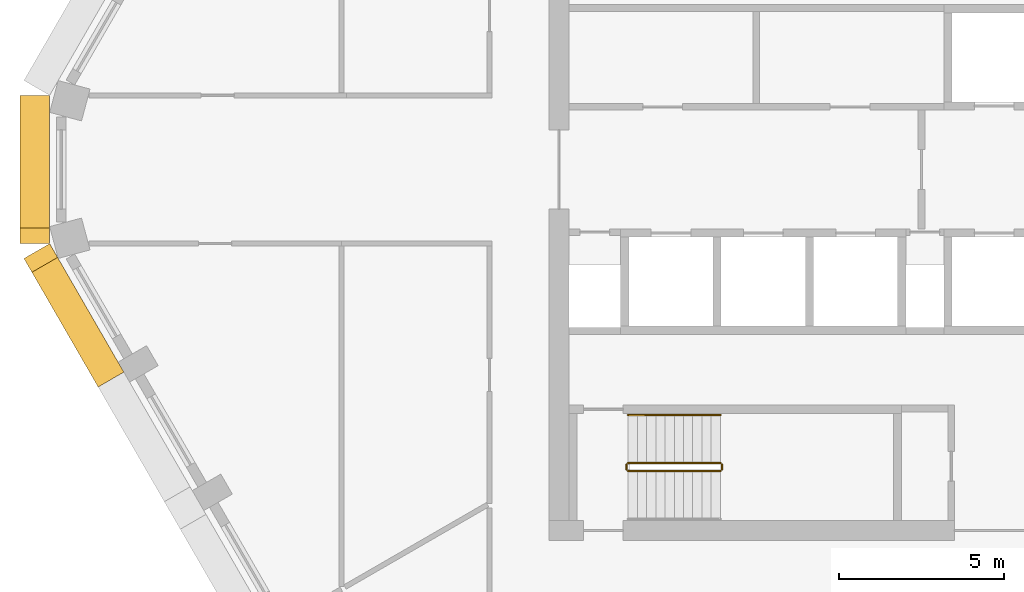
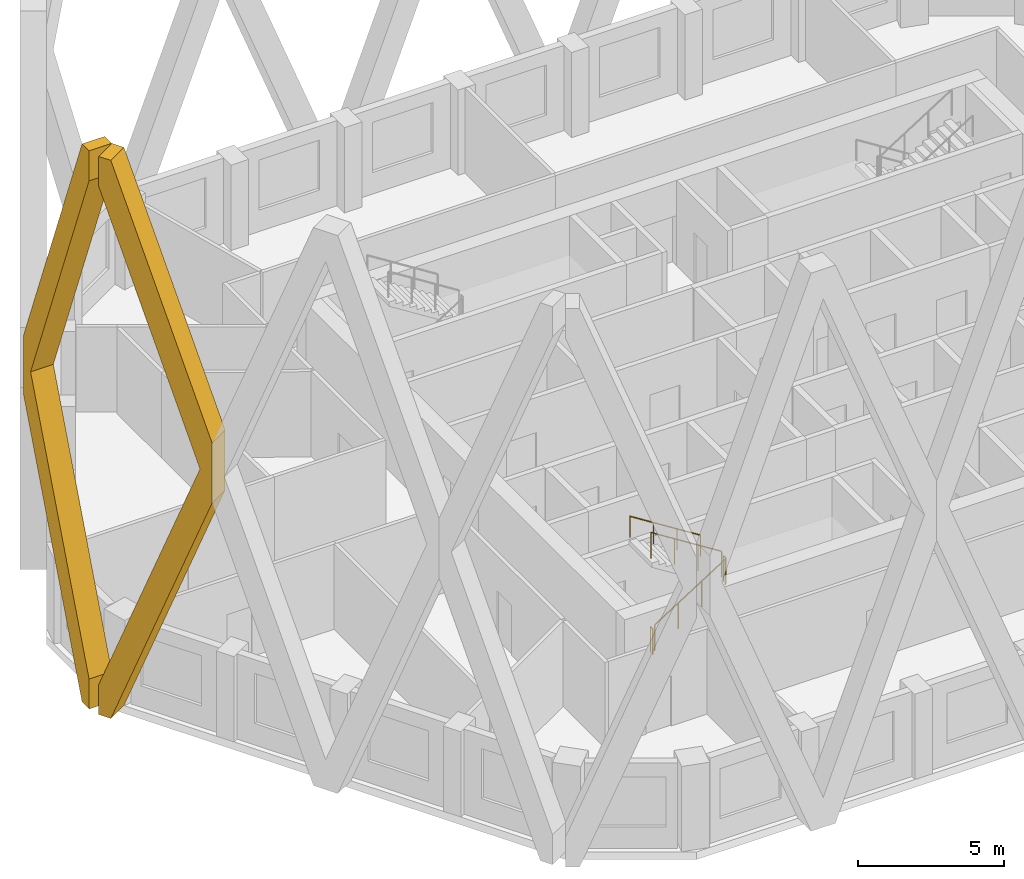
# One storey, part 8 of 13: 5 railings, 2 coverings.
"""IFC4 building model written with IfcOpenShell, lengths in metres."""

import ifcopenshell
import ifcopenshell.guid

model = None  # the IFC model being written
_history = None  # IfcOwnerHistory: only IFC2X3 demands one
_inside = {}  # id of a spatial element -> (the spatial element, [elements in it])
_under = {}  # id of a project, library or spatial element -> (it, [spatial elements below it])
_declared = {}  # id of a project -> (the project, [libraries it declares])
_typed = {}  # id of a type object -> (the type object, [elements of that type])
_made_of = {}  # id of a material, layer set ... -> (it, [elements and type objects made of it])


def new_model(schema):
    """Start an empty IFC model of exactly this schema.

    Asked for "IFC4X3", IfcOpenShell would pick the latest addendum, in which some entities
    have other attributes; the version numbers below select the first issue.
    IFC2X3 requires an IfcOwnerHistory on every rooted entity: one is made here for all.
    """
    global model, _history
    if schema == "IFC4X3":
        model = ifcopenshell.file(schema_version=(4, 3, 0, 0))
    else:
        model = ifcopenshell.file(schema=schema)
    _inside.clear()
    _under.clear()
    _declared.clear()
    _typed.clear()
    _made_of.clear()
    _history = None
    if model.schema == "IFC2X3":
        org = make("IfcOrganization", Name="unknown")
        user = make(
            "IfcPersonAndOrganization",
            ThePerson=make("IfcPerson", FamilyName="unknown"),
            TheOrganization=org,
        )
        app = make(
            "IfcApplication",
            ApplicationDeveloper=org,
            Version="unknown",
            ApplicationFullName="unknown",
            ApplicationIdentifier="unknown",
        )
        _history = make(
            "IfcOwnerHistory",
            OwningUser=user,
            OwningApplication=app,
            ChangeAction="ADDED",
            CreationDate=0,
        )
    return model


def make(cls, **values):
    """One entity of the class cls with the attributes given. An attribute that is None is left unset."""
    return model.create_entity(
        cls, **{name: value for name, value in values.items() if value is not None}
    )


def rooted(cls, **values):
    """An entity with a GlobalId (a new one), such as an element, a storey or a relation."""
    return make(cls, GlobalId=ifcopenshell.guid.new(), OwnerHistory=_history, **values)


def si_unit(unit_type, name, prefix=None):
    """IfcSIUnit, for example si_unit("LENGTHUNIT", "METRE", prefix="MILLI")."""
    return make("IfcSIUnit", UnitType=unit_type, Prefix=prefix, Name=name)


def assignment(units):
    """IfcUnitAssignment: the units of a project."""
    return None if units is None else make("IfcUnitAssignment", Units=units)


def point(xyz):
    """IfcCartesianPoint."""
    return None if xyz is None else make("IfcCartesianPoint", Coordinates=xyz)


def direction(xyz):
    """IfcDirection."""
    return None if xyz is None else make("IfcDirection", DirectionRatios=xyz)


def frame(location, z_axis=None, x_axis=None):
    """IfcAxis2Placement3D, a coordinate frame: its origin and axes. An axis left out is left unset."""
    return make(
        "IfcAxis2Placement3D",
        Location=point(location),
        Axis=direction(z_axis),
        RefDirection=direction(x_axis),
    )


def frame_2d(location, x_axis=None):
    """IfcAxis2Placement2D, a coordinate frame in the plane: its origin and x axis."""
    return make(
        "IfcAxis2Placement2D", Location=point(location), RefDirection=direction(x_axis)
    )


def origin():
    """The frame at (0, 0, 0) with its axes left unset."""
    return frame((0.0, 0.0, 0.0))


def origin_2d():
    """The frame at (0, 0) in the plane with its x axis left unset."""
    return frame_2d((0.0, 0.0))


def place(relative_to, where):
    """IfcLocalPlacement: puts the frame where relative to a parent placement (None: the world)."""
    return make(
        "IfcLocalPlacement", PlacementRelTo=relative_to, RelativePlacement=where
    )


def context(
    kind, dimensions, precision=None, world=None, true_north=None, identifier=None
):
    """IfcGeometricRepresentationContext, for example the 3D "Model" context."""
    return make(
        "IfcGeometricRepresentationContext",
        ContextIdentifier=identifier,
        ContextType=kind,
        CoordinateSpaceDimension=dimensions,
        Precision=precision,
        WorldCoordinateSystem=world,
        TrueNorth=true_north,
    )


def subcontext(parent, identifier, kind, view, scale=None):
    """IfcGeometricRepresentationSubContext, for example "Body" below "Model"."""
    return make(
        "IfcGeometricRepresentationSubContext",
        ContextIdentifier=identifier,
        ContextType=kind,
        ParentContext=parent,
        TargetScale=scale,
        TargetView=view,
    )


def project(units=None, contexts=None):
    """IfcProject with its units and contexts."""
    return rooted(
        "IfcProject",
        Name="project",
        RepresentationContexts=contexts,
        UnitsInContext=assignment(units),
    )


def spatial(cls, under=None, at=None, **own):
    """A site, building, storey or space (cls), placed at a placement, below another one or the project."""
    s = rooted(cls, ObjectPlacement=at, **own)
    if under is not None:
        _under.setdefault(under.id(), (under, []))[1].append(s)
    return s


def polyline(points):
    """IfcPolyline through the points."""
    return make("IfcPolyline", Points=[point(p) for p in points])


def profile(cls, at=None, kind="AREA", **sizes):
    """A parametric profile (cls). Its sizes go by their IFC names, for example OverallWidth=200.0."""
    return make(cls, ProfileType=kind, Position=at, **sizes)


def circle(**sizes):
    """IfcCircleProfileDef."""
    return profile("IfcCircleProfileDef", **sizes)


def outline(outer, holes=None, kind="AREA"):
    """IfcArbitraryClosedProfileDef: a profile drawn as a closed curve; with holes, ...WithVoids."""
    if holes is None:
        return make("IfcArbitraryClosedProfileDef", ProfileType=kind, OuterCurve=outer)
    return make(
        "IfcArbitraryProfileDefWithVoids",
        ProfileType=kind,
        OuterCurve=outer,
        InnerCurves=holes,
    )


def extrude(swept, where, along, depth):
    """IfcExtrudedAreaSolid: the profile swept, set in the frame where, extruded along a direction by depth."""
    return make(
        "IfcExtrudedAreaSolid",
        SweptArea=swept,
        Position=where,
        ExtrudedDirection=direction(along),
        Depth=depth,
    )


def shape(context_of_items, identifier, shape_type, items):
    """IfcShapeRepresentation: the items that make up one representation, for example the "Body"."""
    return make(
        "IfcShapeRepresentation",
        ContextOfItems=context_of_items,
        RepresentationIdentifier=identifier,
        RepresentationType=shape_type,
        Items=items,
    )


def material(Name=None, Category=None):
    """IfcMaterial."""
    return make("IfcMaterial", Name=Name, Category=Category)


def made_of(thing, what):
    """Note that an element or type object is made of a material, layer set ...; save() writes the relation."""
    if what is not None:
        _made_of.setdefault(what.id(), (what, []))[1].append(thing)
    return thing


def type_object(cls, material=None, **own):
    """A type object (cls), such as IfcWallType, which elements share."""
    return made_of(rooted(cls, **own), material)


def element(
    cls,
    number,
    at=None,
    inside=None,
    cuts=None,
    type_object=None,
    material=None,
    context=None,
    identifier="Body",
    shape_type=None,
    held_by="IfcProductDefinitionShape",
    body=None,
    shapes=None,
    **own,
):
    """One element of the class cls, such as IfcWall. Its Tag is "e" and its number.

    at: its placement. inside: the storey or other place that contains it. cuts: it is an
    opening in that element (IfcRelVoidsElement). A single representation is given by context,
    identifier, shape_type and body (its items); several are given by shapes. held_by: the class
    of the entity that holds the representations. save() writes the other relations.
    """
    e = rooted(cls, Tag="e%d" % number, ObjectPlacement=at, **own)
    if body is not None:
        shapes = [shape(context, identifier, shape_type, body)]
    if shapes is not None:
        e.Representation = make(held_by, Representations=shapes)
    if inside is not None:
        _inside.setdefault(inside.id(), (inside, []))[1].append(e)
    if cuts is not None:
        rooted(
            "IfcRelVoidsElement", RelatingBuildingElement=cuts, RelatedOpeningElement=e
        )
    if type_object is not None:
        _typed.setdefault(type_object.id(), (type_object, []))[1].append(e)
    return made_of(e, material)


def aggregate(whole, parts):
    """IfcRelAggregates: a whole, such as a stair, and the parts it consists of."""
    return rooted("IfcRelAggregates", RelatingObject=whole, RelatedObjects=parts)


def save(model, path):
    """Write the relations noted so far, then the file.

    IfcRelAggregates (storeys below a building ...), IfcRelContainedInSpatialStructure (elements
    in a storey), IfcRelDefinesByType, IfcRelAssociatesMaterial and IfcRelDeclares: one each for
    every whole, place, type object, material and project.
    """
    for whole, parts in _under.values():
        aggregate(whole, parts)
    for where, things in _inside.values():
        rooted(
            "IfcRelContainedInSpatialStructure",
            RelatedElements=things,
            RelatingStructure=where,
        )
    for kind, things in _typed.values():
        rooted("IfcRelDefinesByType", RelatedObjects=things, RelatingType=kind)
    for what, things in _made_of.values():
        rooted("IfcRelAssociatesMaterial", RelatedObjects=things, RelatingMaterial=what)
    for by, libraries in _declared.values():
        rooted("IfcRelDeclares", RelatingContext=by, RelatedDefinitions=libraries)
    model.write(path)


model = new_model("IFC4")

# Units and contexts
model_context = context("Model", 3, precision=1e-05, world=origin(), true_north=direction((0.0, 1.0)))
body_context = subcontext(model_context, "Body", "Model", "MODEL_VIEW")
ifc_project = project(units=[si_unit("LENGTHUNIT", "METRE"), si_unit("AREAUNIT", "SQUARE_METRE"), si_unit("VOLUMEUNIT", "CUBIC_METRE"), si_unit("PLANEANGLEUNIT", "RADIAN"), si_unit("MASSUNIT", "GRAM", prefix="KILO")], contexts=[model_context])

# Site, building, storey
site_placement = place(None, origin())
site = spatial("IfcSite", under=ifc_project, at=site_placement, CompositionType="ELEMENT")
building_placement = place(site_placement, origin())
building = spatial("IfcBuilding", under=site, at=building_placement, Name="Dhurran Vertical Campus", CompositionType="ELEMENT")
storey_placement = place(building_placement, frame((0.0, 0.0, 258.60009765625)))
storey = spatial("IfcBuildingStorey", under=building, at=storey_placement, Name="L64", CompositionType="ELEMENT", Elevation=258.60009765625)

# Coverings
ifc_material_1 = material(Name="Precast concrete C50/60", Category="concrete")
covering_type = type_object("IfcCoveringType", Name="Folded precast fin lattice diamond", PredefinedType="USERDEFINED", material=ifc_material_1)
covering_1_placement = place(storey_placement, frame((-28.647216796875, 2.25, 0.0), z_axis=(-1.0, 0.0, 0.0), x_axis=(0.0, -1.0, 0.0)))
element("IfcCovering", 1, at=covering_1_placement, inside=storey, type_object=covering_type, Name="FN1 L64.020", ObjectType="FIN", PredefinedType="USERDEFINED", context=body_context, shape_type="SweptSolid", body=[
    extrude(outline(polyline([(4.017822265625, 0.0), (0.0, 10.4462890625), (0.0, 12.95361328125), (4.017822265625, 23.39990234375), (4.5, 23.39990234375), (4.5, 22.146484375), (0.482177734375, 11.699951171875), (4.5, 1.253662109375), (4.5, 0.0), (4.017822265625, 0.0)])), origin(), (0.0, 0.0, 1.0), 0.89990234375),
])
covering_2_placement = place(storey_placement, frame((-28.647216796875, -2.25, 0.0), z_axis=(-0.866013897511, -0.50001992892, 0.0), x_axis=(0.50001992892, -0.866013897511, 0.0)))
element("IfcCovering", 2, at=covering_2_placement, inside=storey, type_object=covering_type, Name="FN1 L64.021", ObjectType="FIN", PredefinedType="USERDEFINED", context=body_context, shape_type="SweptSolid", body=[
    extrude(outline(polyline([(4.5, 10.4462890625), (0.482177734375, 0.0), (0.0, 0.0), (0.0, 1.253662109375), (4.017822265625, 11.699951171875), (0.0, 22.146484375), (0.0, 23.39990234375), (0.482177734375, 23.39990234375), (4.5, 12.95361328125), (4.5, 10.4462890625)])), origin(), (0.0, 0.0, 1.0), 0.89990234375),
])

# Railings
ifc_material_2 = material(Name="Stainless steel balustrade", Category="steel")
railing_type_1 = type_object("IfcRailingType", Name="co-RL-GUARD-1100", PredefinedType="GUARDRAIL", material=ifc_material_2)
railing_1_placement = place(storey_placement, frame((-11.10009765625, -9.14990234375, 0.17724609375)))
element("IfcRailing", 3, at=railing_1_placement, inside=storey, type_object=railing_type_1, Name="L64 ST3 stair guard 1", PredefinedType="GUARDRAIL", context=body_context, shape_type="SweptSolid", body=[
    extrude(circle(Radius=0.02392578125, at=origin_2d()), frame((0.0, 0.0, 1.076171875), z_axis=(0.844908973607, 0.0, 0.534910110503), x_axis=(0.0, 1.0, 0.0)), (0.0, 0.0, 1.0), 3.31396484375),
    extrude(circle(Radius=0.02099609375, at=origin_2d()), origin(), (0.0, 0.0, 1.0), 1.052001953125),
    extrude(circle(Radius=0.02099609375, at=origin_2d()), frame((0.933349609375, 0.0, 0.5908203125)), (0.0, 0.0, 1.0), 1.052001953125),
    extrude(circle(Radius=0.02099609375, at=origin_2d()), frame((1.86669921875, 0.0, 1.181884765625)), (0.0, 0.0, 1.0), 1.052001953125),
    extrude(circle(Radius=0.02099609375, at=origin_2d()), frame((2.800048828125, 0.0, 1.772705078125)), (0.0, 0.0, 1.0), 1.052001953125),
])
railing_2_placement = place(storey_placement, frame((-8.25, -9.10009765625, 1.949951171875)))
element("IfcRailing", 4, at=railing_2_placement, inside=storey, type_object=railing_type_1, Name="L64 ST3 stair guard 2", PredefinedType="GUARDRAIL", context=body_context, shape_type="SweptSolid", body=[
    extrude(circle(Radius=0.02392578125, at=origin_2d()), frame((0.0, 0.0, 1.076171875), z_axis=(0.0, 1.0, 0.0), x_axis=(-1.0, 0.0, 0.0)), (0.0, 0.0, 1.0), 0.150146484375),
    extrude(circle(Radius=0.02099609375, at=origin_2d()), origin(), (0.0, 0.0, 1.0), 1.052001953125),
    extrude(circle(Radius=0.02099609375, at=origin_2d()), frame((0.0, 0.150146484375, 0.0)), (0.0, 0.0, 1.0), 1.052001953125),
])
railing_3_placement = place(storey_placement, frame((-8.300048828125, -8.89990234375, 2.127197265625)))
element("IfcRailing", 5, at=railing_3_placement, inside=storey, type_object=railing_type_1, Name="L64 ST3 stair guard 3", PredefinedType="GUARDRAIL", context=body_context, shape_type="SweptSolid", body=[
    extrude(circle(Radius=0.02392578125, at=origin_2d()), frame((0.0, 0.0, 1.076171875), z_axis=(-0.844908973607, 0.0, 0.534910110503), x_axis=(0.0, -1.0, 0.0)), (0.0, 0.0, 1.0), 3.31396484375),
    extrude(circle(Radius=0.02099609375, at=origin_2d()), origin(), (0.0, 0.0, 1.0), 1.052001953125),
    extrude(circle(Radius=0.02099609375, at=origin_2d()), frame((-0.933349609375, 0.0, 0.5908203125)), (0.0, 0.0, 1.0), 1.052001953125),
    extrude(circle(Radius=0.02099609375, at=origin_2d()), frame((-1.86669921875, 0.0, 1.181884765625)), (0.0, 0.0, 1.0), 1.052001953125),
    extrude(circle(Radius=0.02099609375, at=origin_2d()), frame((-2.800048828125, 0.0, 1.772705078125)), (0.0, 0.0, 1.0), 1.052001953125),
])
railing_4_placement = place(storey_placement, frame((-11.14990234375, -9.10009765625, 0.0)))
element("IfcRailing", 6, at=railing_4_placement, inside=storey, type_object=railing_type_1, Name="L64 ST3 stair guard 4", PredefinedType="GUARDRAIL", context=body_context, shape_type="SweptSolid", body=[
    extrude(circle(Radius=0.02392578125, at=origin_2d()), frame((0.0, 0.0, 1.076171875), z_axis=(0.0, 1.0, 0.0), x_axis=(-1.0, 0.0, 0.0)), (0.0, 0.0, 1.0), 0.150146484375),
    extrude(circle(Radius=0.02099609375, at=origin_2d()), origin(), (0.0, 0.0, 1.0), 1.052001953125),
    extrude(circle(Radius=0.02099609375, at=origin_2d()), frame((0.0, 0.150146484375, 0.0)), (0.0, 0.0, 1.0), 1.052001953125),
])
ifc_material_3 = material(Name="Stainless steel handrail", Category="steel")
railing_type_2 = type_object("IfcRailingType", Name="co-RL-HANDRAIL-900", PredefinedType="HANDRAIL", material=ifc_material_3)
railing_5_placement = place(storey_placement, frame((-8.300048828125, -7.449951171875, 2.127197265625)))
element("IfcRailing", 7, at=railing_5_placement, inside=storey, type_object=railing_type_2, Name="L64 ST3 stair handrail 2", PredefinedType="HANDRAIL", context=body_context, shape_type="SweptSolid", body=[
    extrude(circle(Radius=0.02392578125, at=origin_2d()), frame((0.0, 0.0, 0.8759765625), z_axis=(-0.844908973607, 0.0, 0.534910110503), x_axis=(0.0, -1.0, 0.0)), (0.0, 0.0, 1.0), 3.31396484375),
    extrude(circle(Radius=0.02099609375, at=origin_2d()), origin(), (0.0, 0.0, 1.0), 0.851806640625),
    extrude(circle(Radius=0.02099609375, at=origin_2d()), frame((-0.933349609375, 0.0, 0.5908203125)), (0.0, 0.0, 1.0), 0.851806640625),
    extrude(circle(Radius=0.02099609375, at=origin_2d()), frame((-1.86669921875, 0.0, 1.181884765625)), (0.0, 0.0, 1.0), 0.851806640625),
    extrude(circle(Radius=0.02099609375, at=origin_2d()), frame((-2.800048828125, 0.0, 1.772705078125)), (0.0, 0.0, 1.0), 0.851806640625),
])

save(model, "model.ifc")
